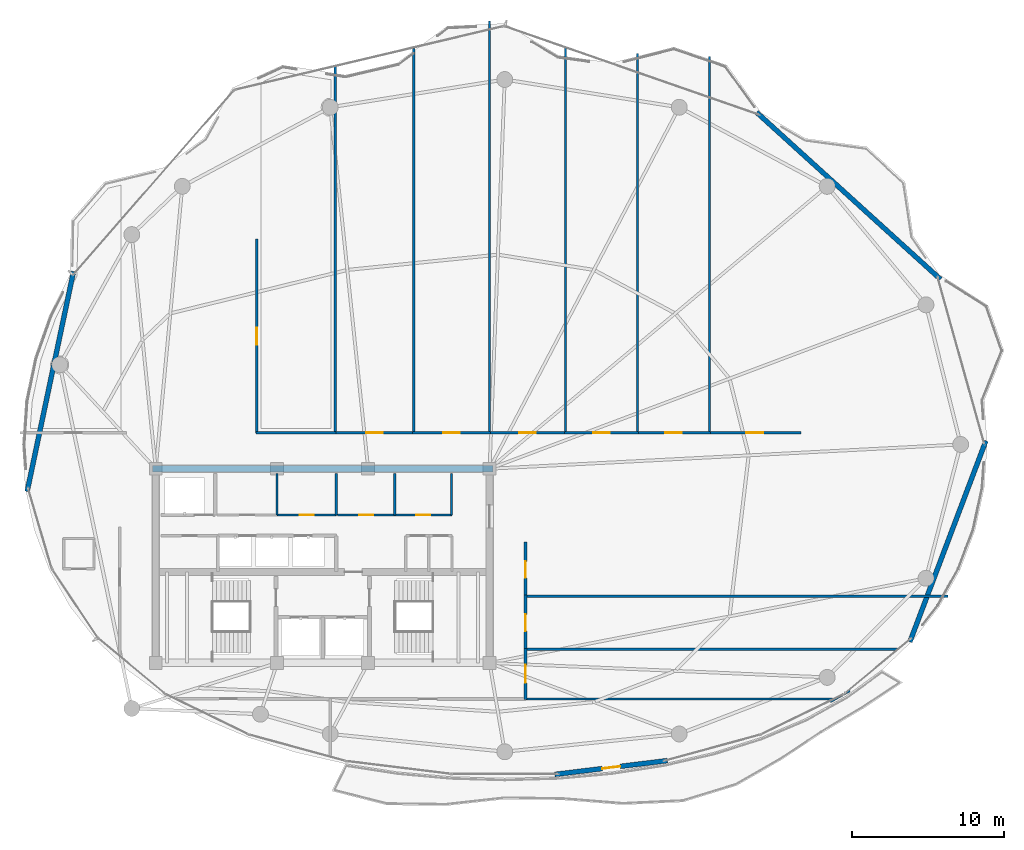
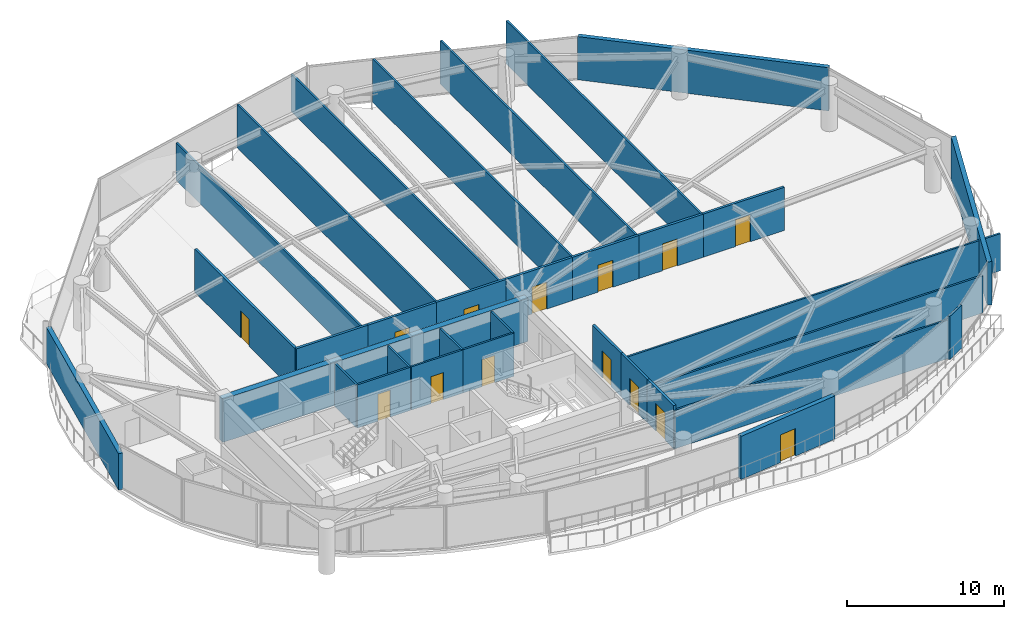
# One storey, part 24 of 28: 33 walls, 14 doors, 14 openings.
"""IFC4 building model written with IfcOpenShell, lengths in metres."""

from ifc_helpers import new_model, si_unit, direction, frame, frame_2d, origin, place, context, subcontext, project, spatial, rectangle, extrude, material, layer, layer_set, type_object, element, fill, save


model = new_model("IFC4")

# Units and contexts
model_context = context("Model", 3, precision=1e-05, world=origin(), true_north=direction((0.0, 1.0)))
body_context = subcontext(model_context, "Body", "Model", "MODEL_VIEW")
ifc_project = project(units=[si_unit("LENGTHUNIT", "METRE"), si_unit("AREAUNIT", "SQUARE_METRE"), si_unit("VOLUMEUNIT", "CUBIC_METRE"), si_unit("PLANEANGLEUNIT", "RADIAN"), si_unit("MASSUNIT", "GRAM", prefix="KILO")], contexts=[model_context])

# Site, building, storey
site_placement = place(None, origin())
site = spatial("IfcSite", under=ifc_project, at=site_placement, CompositionType="ELEMENT")
building_placement = place(site_placement, origin())
building = spatial("IfcBuilding", under=site, at=building_placement, Name="Kazevale Care Tower and Concert Hall", CompositionType="ELEMENT")
storey_placement = place(building_placement, frame((0.0, 0.0, 231.60009765625)))
storey = spatial("IfcBuildingStorey", under=building, at=storey_placement, Name="L61", CompositionType="ELEMENT", Elevation=231.60009765625)

# Wall, opening, door
ifc_material_1 = material(Name="Acoustic Gypsum on Steel Stud", Category="steel")
ifc_layer_1 = layer(ifc_material_1, 0.139892578125)
ifc_layer_set_1 = layer_set([ifc_layer_1], Name="Acoustic Gypsum on Steel Stud")
wall_type_1 = type_object("IfcWallType", Name="Acoustic Care & Suite Partition 140", PredefinedType="PARTITIONING", material=ifc_layer_set_1)
wall_1_placement = place(storey_placement, frame((30.0, 33.35009765625, 0.0), z_axis=(0.0, 0.0, 1.0), x_axis=(1.0, 0.0, 0.0)))
wall_1 = element("IfcWall", 1, at=wall_1_placement, inside=storey, type_object=wall_type_1, Name="wall:L61:c_rpl2_s", PredefinedType="PARTITIONING", context=body_context, shape_type="SweptSolid", body=[
    extrude(rectangle(XDim=3.919921875, YDim=0.139892578125, at=frame_2d((1.9599609375, 0.0))), origin(), (0.0, 0.0, 1.0), 3.35986328125),
])
opening_1_placement = place(wall_1_placement, frame((1.5, 0.0, 0.0)))
opening_1 = element("IfcOpeningElement", 2, at=opening_1_placement, cuts=wall_1, Name="Opening ID-900", PredefinedType="OPENING", context=body_context, shape_type="SweptSolid", body=[
    extrude(rectangle(XDim=0.919921875, YDim=2.10009765625, at=frame_2d((0.4599609375, 1.050048828125))), frame((0.0, 0.079833984375, 0.0), z_axis=(0.0, -1.0, 0.0), x_axis=(1.0, 0.0, 0.0)), (0.0, 0.0, 1.0), 0.159912109375),
])
ifc_material_2 = material(Name="Oak Timber Fire Leaf", Category="wood")
door_type_1 = type_object("IfcDoorType", Name="Bathroom & Service Door 920x2100", OperationType="NOTDEFINED", PredefinedType="DOOR", material=ifc_material_2)
door_1_placement = place(opening_1_placement, origin())
door_1 = element("IfcDoor", 3, at=door_1_placement, inside=storey, type_object=door_type_1, Name="door:L61:d_rpl2", OperationType="SINGLE_SWING_RIGHT", OverallHeight=2.10009765625, OverallWidth=0.919921875, PredefinedType="DOOR", context=body_context, shape_type="SweptSolid", body=[
    extrude(rectangle(XDim=0.919921875, YDim=2.10009765625, at=frame_2d((0.4599609375, 1.050048828125))), frame((0.0, 0.02490234375, 0.0), z_axis=(0.0, -1.0, 0.0), x_axis=(1.0, 0.0, 0.0)), (0.0, 0.0, 1.0), 0.050048828125),
])
fill(opening_1, door_1)

# Walls
for number, where, z_axis, x_axis, name in (
    (4, (30.0, 33.35009765625, 0.0), (0.0, 0.0, 1.0), (0.0, 1.0, 0.0), "wall:L61:c_rpl_m"),
    (5, (33.89990234375, 33.35009765625, 0.0), (0.0, 0.0, 1.0), (0.0, 1.0, 0.0), "wall:L61:c_rpl_e"),
):
    element("IfcWall", number, at=place(storey_placement, frame(where, z_axis=z_axis, x_axis=x_axis)), inside=storey, type_object=wall_type_1, Name=name, PredefinedType="PARTITIONING", context=body_context, shape_type="SweptSolid", body=[
        extrude(rectangle(XDim=2.75, YDim=0.139892578125, at=frame_2d((1.375, 0.0))), origin(), (0.0, 0.0, 1.0), 3.35986328125),
    ])

# Wall, opening, door
wall_2_placement = place(storey_placement, frame((33.97998046875, 33.35009765625, 0.0), z_axis=(0.0, 0.0, 1.0), x_axis=(1.0, 0.0, 0.0)))
wall_2 = element("IfcWall", 6, at=wall_2_placement, inside=storey, type_object=wall_type_1, Name="wall:L61:c_rpm1_s", PredefinedType="PARTITIONING", context=body_context, shape_type="SweptSolid", body=[
    extrude(rectangle(XDim=3.77001953125, YDim=0.139892578125, at=frame_2d((1.885009765625, 0.0))), origin(), (0.0, 0.0, 1.0), 3.35986328125),
])
opening_2_placement = place(wall_2_placement, frame((1.425048828125, 0.0, 0.0)))
opening_2 = element("IfcOpeningElement", 7, at=opening_2_placement, cuts=wall_2, Name="Opening ID-900", PredefinedType="OPENING", context=body_context, shape_type="SweptSolid", body=[
    extrude(rectangle(XDim=0.919921875, YDim=2.10009765625, at=frame_2d((0.4599609375, 1.050048828125))), frame((0.0, 0.079833984375, 0.0), z_axis=(0.0, -1.0, 0.0), x_axis=(1.0, 0.0, 0.0)), (0.0, 0.0, 1.0), 0.159912109375),
])
door_2_placement = place(opening_2_placement, origin())
door_2 = element("IfcDoor", 8, at=door_2_placement, inside=storey, type_object=door_type_1, Name="door:L61:d_rpm1", OperationType="SINGLE_SWING_LEFT", OverallHeight=2.10009765625, OverallWidth=0.919921875, PredefinedType="DOOR", context=body_context, shape_type="SweptSolid", body=[
    extrude(rectangle(XDim=0.919921875, YDim=2.10009765625, at=frame_2d((0.4599609375, 1.050048828125))), frame((0.0, 0.02490234375, 0.0), z_axis=(0.0, -1.0, 0.0), x_axis=(1.0, 0.0, 0.0)), (0.0, 0.0, 1.0), 0.050048828125),
])
fill(opening_2, door_2)

wall_3_placement = place(storey_placement, frame((37.75, 33.35009765625, 0.0), z_axis=(0.0, 0.0, 1.0), x_axis=(1.0, 0.0, 0.0)))
wall_3 = element("IfcWall", 9, at=wall_3_placement, inside=storey, type_object=wall_type_1, Name="wall:L61:c_rpm2_s", PredefinedType="PARTITIONING", context=body_context, shape_type="SweptSolid", body=[
    extrude(rectangle(XDim=3.77001953125, YDim=0.139892578125, at=frame_2d((1.885009765625, 0.0))), origin(), (0.0, 0.0, 1.0), 3.35986328125),
])
opening_3_placement = place(wall_3_placement, frame((1.425048828125, 0.0, 0.0)))
opening_3 = element("IfcOpeningElement", 10, at=opening_3_placement, cuts=wall_3, Name="Opening ID-900", PredefinedType="OPENING", context=body_context, shape_type="SweptSolid", body=[
    extrude(rectangle(XDim=0.919921875, YDim=2.10009765625, at=frame_2d((0.4599609375, 1.050048828125))), frame((0.0, 0.079833984375, 0.0), z_axis=(0.0, -1.0, 0.0), x_axis=(1.0, 0.0, 0.0)), (0.0, 0.0, 1.0), 0.159912109375),
])
door_3_placement = place(opening_3_placement, origin())
door_3 = element("IfcDoor", 11, at=door_3_placement, inside=storey, type_object=door_type_1, Name="door:L61:d_rpm2", OperationType="SINGLE_SWING_RIGHT", OverallHeight=2.10009765625, OverallWidth=0.919921875, PredefinedType="DOOR", context=body_context, shape_type="SweptSolid", body=[
    extrude(rectangle(XDim=0.919921875, YDim=2.10009765625, at=frame_2d((0.4599609375, 1.050048828125))), frame((0.0, 0.02490234375, 0.0), z_axis=(0.0, -1.0, 0.0), x_axis=(1.0, 0.0, 0.0)), (0.0, 0.0, 1.0), 0.050048828125),
])
fill(opening_3, door_3)

# Walls
for number, where, z_axis, x_axis, name in (
    (12, (37.75, 33.35009765625, 0.0), (0.0, 0.0, 1.0), (0.0, 1.0, 0.0), "wall:L61:c_rpm_m"),
    (13, (41.5, 33.35009765625, 0.0), (0.0, 0.0, 1.0), (0.0, 1.0, 0.0), "wall:L61:c_rpm_e"),
):
    element("IfcWall", number, at=place(storey_placement, frame(where, z_axis=z_axis, x_axis=x_axis)), inside=storey, type_object=wall_type_1, Name=name, PredefinedType="PARTITIONING", context=body_context, shape_type="SweptSolid", body=[
        extrude(rectangle(XDim=2.75, YDim=0.139892578125, at=frame_2d((1.375, 0.0))), origin(), (0.0, 0.0, 1.0), 3.35986328125),
    ])
wall_4_placement = place(storey_placement, frame((33.830078125, 62.923583984375, 0.0), z_axis=(0.0, 0.0, 1.0), x_axis=(0.0, -1.0, 0.0)))
element("IfcWall", 14, at=wall_4_placement, inside=storey, type_object=wall_type_1, Name="wall:L61:auto_016", PredefinedType="PARTITIONING", context=body_context, shape_type="SweptSolid", body=[
    extrude(rectangle(XDim=24.178466796875, YDim=0.139892578125, at=frame_2d((12.08935546875, 0.0))), origin(), (0.0, 0.0, 1.0), 2.889892578125),
])
wall_5_placement = place(storey_placement, frame((39.0, 64.10009765625, 0.0), z_axis=(0.0, 0.0, 1.0), x_axis=(0.0, -1.0, 0.0)))
element("IfcWall", 15, at=wall_5_placement, inside=storey, type_object=wall_type_1, Name="wall:L61:auto_017", PredefinedType="PARTITIONING", context=body_context, shape_type="SweptSolid", body=[
    extrude(rectangle(XDim=25.35498046875, YDim=0.139892578125, at=frame_2d((12.677490234375, 0.0))), origin(), (0.0, 0.0, 1.0), 3.35986328125),
])
wall_6_placement = place(storey_placement, frame((44.0, 65.904052734375, 0.0), z_axis=(0.0, 0.0, 1.0), x_axis=(0.0, -1.0, 0.0)))
element("IfcWall", 16, at=wall_6_placement, inside=storey, type_object=wall_type_1, Name="wall:L61:auto_018", PredefinedType="PARTITIONING", context=body_context, shape_type="SweptSolid", body=[
    extrude(rectangle(XDim=27.158935546875, YDim=0.139892578125, at=frame_2d((13.57958984375, 0.0))), origin(), (0.0, 0.0, 1.0), 2.889892578125),
])
wall_7_placement = place(storey_placement, frame((49.0, 64.150390625, 0.0), z_axis=(0.0, 0.0, 1.0), x_axis=(0.0, -1.0, 0.0)))
element("IfcWall", 17, at=wall_7_placement, inside=storey, type_object=wall_type_1, Name="wall:L61:auto_019", PredefinedType="PARTITIONING", context=body_context, shape_type="SweptSolid", body=[
    extrude(rectangle(XDim=25.4052734375, YDim=0.139892578125, at=frame_2d((12.70263671875, 0.0))), origin(), (0.0, 0.0, 1.0), 3.35986328125),
])
wall_8_placement = place(storey_placement, frame((53.75, 63.77490234375, 0.0), z_axis=(0.0, 0.0, 1.0), x_axis=(0.0, -1.0, 0.0)))
element("IfcWall", 18, at=wall_8_placement, inside=storey, type_object=wall_type_1, Name="wall:L61:auto_020", PredefinedType="PARTITIONING", context=body_context, shape_type="SweptSolid", body=[
    extrude(rectangle(XDim=25.02978515625, YDim=0.139892578125, at=frame_2d((12.514892578125, 0.0))), origin(), (0.0, 0.0, 1.0), 3.35986328125),
])
wall_9_placement = place(storey_placement, frame((58.5, 63.5810546875, 0.0), z_axis=(0.0, 0.0, 1.0), x_axis=(0.0, -1.0, 0.0)))
element("IfcWall", 19, at=wall_9_placement, inside=storey, type_object=wall_type_1, Name="wall:L61:auto_021", PredefinedType="PARTITIONING", context=body_context, shape_type="SweptSolid", body=[
    extrude(rectangle(XDim=24.8359375, YDim=0.139892578125, at=frame_2d((12.41796875, 0.0))), origin(), (0.0, 0.0, 1.0), 3.35986328125),
])
wall_10_placement = place(storey_placement, frame((46.344970703125, 24.5, 0.0), z_axis=(0.0, 0.0, 1.0), x_axis=(1.0, 0.0, 0.0)))
element("IfcWall", 20, at=wall_10_placement, inside=storey, type_object=wall_type_1, Name="wall:L61:auto_022", PredefinedType="PARTITIONING", context=body_context, shape_type="SweptSolid", body=[
    extrude(rectangle(XDim=24.560546875, YDim=0.139892578125, at=frame_2d((12.2802734375, 0.0))), origin(), (0.0, 0.0, 1.0), 2.889892578125),
])
wall_11_placement = place(storey_placement, frame((66.683837890625, 21.22509765625, 0.0), z_axis=(0.0, 0.0, 1.0), x_axis=(-1.0, 0.0, 0.0)))
element("IfcWall", 21, at=wall_11_placement, inside=storey, type_object=wall_type_1, Name="wall:L61:auto_023", PredefinedType="PARTITIONING", context=body_context, shape_type="SweptSolid", body=[
    extrude(rectangle(XDim=20.3388671875, YDim=0.139892578125, at=frame_2d((10.16943359375, 0.0))), origin(), (0.0, 0.0, 1.0), 2.995849609375),
])
wall_12_placement = place(storey_placement, frame((67.748046875, 21.77001953125, 0.0), z_axis=(0.0, 0.0, 1.0), x_axis=(-0.871352238731, -0.490658003153, 0.0)))
element("IfcWall", 22, at=wall_12_placement, inside=storey, type_object=wall_type_1, Name="wall:L61:auto_024", PredefinedType="PARTITIONING", context=body_context, shape_type="SweptSolid", body=[
    extrude(rectangle(XDim=1.48974609375, YDim=0.139892578125, at=frame_2d((0.744873046875, 0.0))), origin(), (0.0, 0.0, 1.0), 3.35986328125),
])
wall_13_placement = place(storey_placement, frame((46.344970703125, 28.0, 0.0), z_axis=(0.0, 0.0, 1.0), x_axis=(1.0, 0.0, 0.0)))
element("IfcWall", 23, at=wall_13_placement, inside=storey, type_object=wall_type_1, Name="wall:L61:auto_025", PredefinedType="PARTITIONING", context=body_context, shape_type="SweptSolid", body=[
    extrude(rectangle(XDim=27.863037109375, YDim=0.139892578125, at=frame_2d((13.931640625, 0.0))), origin(), (0.0, 0.0, 1.0), 2.889892578125),
])
ifc_material_3 = material(Name="Concrete C50", Category="concrete")
ifc_layer_2 = layer(ifc_material_3, 0.449951171875)
ifc_layer_set_2 = layer_set([ifc_layer_2], Name="Concrete C50")
wall_type_2 = type_object("IfcWallType", Name="Core Shear Wall 450 C50", PredefinedType="SHEAR", material=ifc_layer_set_2)
wall_14_placement = place(storey_placement, frame((21.77490234375, 36.39990234375, 0.0), z_axis=(0.0, 0.0, 1.0), x_axis=(1.0, 0.0, 0.0)))
element("IfcWall", 24, at=wall_14_placement, inside=storey, type_object=wall_type_2, Name="wall:L61:core:N", PredefinedType="SHEAR", context=body_context, shape_type="SweptSolid", body=[
    extrude(rectangle(XDim=22.4501953125, YDim=0.449951171875, at=frame_2d((11.22509765625, 0.0))), origin(), (0.0, 0.0, 1.0), 3.35986328125),
])

# Wall, opening, door
ifc_material_4 = material(Name="Concrete C40 and Acoustic Gypsum", Category="concrete")
ifc_layer_3 = layer(ifc_material_4, 0.179931640625)
ifc_layer_set_3 = layer_set([ifc_layer_3], Name="Concrete C40 and Acoustic Gypsum")
wall_type_3 = type_object("IfcWallType", Name="Fire-Rated Corridor & Party Wall 180", PredefinedType="PARTITIONING", material=ifc_layer_set_3)
wall_15_placement = place(storey_placement, frame((28.64990234375, 51.530029296875, 0.0), z_axis=(0.0, 0.0, 1.0), x_axis=(0.0, -1.0, 0.0)))
wall_15 = element("IfcWall", 25, at=wall_15_placement, inside=storey, type_object=wall_type_3, Name="wall:L61:auto_002", PredefinedType="PARTITIONING", context=body_context, shape_type="SweptSolid", body=[
    extrude(rectangle(XDim=12.784912109375, YDim=0.179931640625, at=frame_2d((6.392578125, 0.0))), origin(), (0.0, 0.0, 1.0), 3.35986328125),
])
opening_4_placement = place(wall_15_placement, frame((5.843017578125, 0.0, 0.0)))
opening_4 = element("IfcOpeningElement", 26, at=opening_4_placement, cuts=wall_15, Name="Opening ID-1100", PredefinedType="OPENING", context=body_context, shape_type="SweptSolid", body=[
    extrude(rectangle(XDim=1.10009765625, YDim=2.10009765625, at=frame_2d((0.550048828125, 1.050048828125))), frame((0.0, 0.099853515625, 0.0), z_axis=(0.0, -1.0, 0.0), x_axis=(1.0, 0.0, 0.0)), (0.0, 0.0, 1.0), 0.199951171875),
])
door_type_2 = type_object("IfcDoorType", Name="Care Bedroom Accessible Door 1100x2100", OperationType="NOTDEFINED", PredefinedType="DOOR", material=ifc_material_2)
door_4_placement = place(opening_4_placement, origin())
door_4 = element("IfcDoor", 27, at=door_4_placement, inside=storey, type_object=door_type_2, Name="door:L61:ad_002", OperationType="SINGLE_SWING_LEFT", OverallHeight=2.10009765625, OverallWidth=1.10009765625, PredefinedType="DOOR", context=body_context, shape_type="SweptSolid", body=[
    extrude(rectangle(XDim=1.10009765625, YDim=2.10009765625, at=frame_2d((0.550048828125, 1.050048828125))), frame((0.0, 0.02490234375, 0.0), z_axis=(0.0, -1.0, 0.0), x_axis=(1.0, 0.0, 0.0)), (0.0, 0.0, 1.0), 0.050048828125),
])
fill(opening_4, door_4)

# Wall
wall_16_placement = place(storey_placement, frame((28.6201171875, 38.77490234375, 0.0), z_axis=(0.0, 0.0, 1.0), x_axis=(1.0, 0.0, 0.0)))
element("IfcWall", 28, at=wall_16_placement, inside=storey, type_object=wall_type_3, Name="wall:L61:auto_003", PredefinedType="PARTITIONING", context=body_context, shape_type="SweptSolid", body=[
    extrude(rectangle(XDim=5.27490234375, YDim=0.179931640625, at=frame_2d((2.637451171875, 0.0))), origin(), (0.0, 0.0, 1.0), 3.35986328125),
])

# Wall, opening, door
wall_17_placement = place(storey_placement, frame((33.764892578125, 38.77490234375, 0.0), z_axis=(0.0, 0.0, 1.0), x_axis=(1.0, 0.0, 0.0)))
wall_17 = element("IfcWall", 29, at=wall_17_placement, inside=storey, type_object=wall_type_3, Name="wall:L61:auto_004", PredefinedType="PARTITIONING", context=body_context, shape_type="SweptSolid", body=[
    extrude(rectangle(XDim=5.300048828125, YDim=0.179931640625, at=frame_2d((2.64990234375, 0.0))), origin(), (0.0, 0.0, 1.0), 3.35986328125),
])
opening_5_placement = place(wall_17_placement, frame((2.10009765625, 0.0, 0.0)))
opening_5 = element("IfcOpeningElement", 30, at=opening_5_placement, cuts=wall_17, Name="Opening ID-1100", PredefinedType="OPENING", context=body_context, shape_type="SweptSolid", body=[
    extrude(rectangle(XDim=1.10009765625, YDim=2.10009765625, at=frame_2d((0.550048828125, 1.050048828125))), frame((0.0, 0.099853515625, 0.0), z_axis=(0.0, -1.0, 0.0), x_axis=(1.0, 0.0, 0.0)), (0.0, 0.0, 1.0), 0.199951171875),
])
door_5_placement = place(opening_5_placement, origin())
door_5 = element("IfcDoor", 31, at=door_5_placement, inside=storey, type_object=door_type_2, Name="door:L61:ad_004", OperationType="SINGLE_SWING_LEFT", OverallHeight=2.10009765625, OverallWidth=1.10009765625, PredefinedType="DOOR", context=body_context, shape_type="SweptSolid", body=[
    extrude(rectangle(XDim=1.10009765625, YDim=2.10009765625, at=frame_2d((0.550048828125, 1.050048828125))), frame((0.0, 0.02490234375, 0.0), z_axis=(0.0, -1.0, 0.0), x_axis=(1.0, 0.0, 0.0)), (0.0, 0.0, 1.0), 0.050048828125),
])
fill(opening_5, door_5)

wall_18_placement = place(storey_placement, frame((38.93505859375, 38.77490234375, 0.0), z_axis=(0.0, 0.0, 1.0), x_axis=(1.0, 0.0, 0.0)))
wall_18 = element("IfcWall", 32, at=wall_18_placement, inside=storey, type_object=wall_type_3, Name="wall:L61:auto_005", PredefinedType="PARTITIONING", context=body_context, shape_type="SweptSolid", body=[
    extrude(rectangle(XDim=5.1298828125, YDim=0.179931640625, at=frame_2d((2.56494140625, 0.0))), origin(), (0.0, 0.0, 1.0), 3.35986328125),
])
opening_6_placement = place(wall_18_placement, frame((2.014892578125, 0.0, 0.0)))
opening_6 = element("IfcOpeningElement", 33, at=opening_6_placement, cuts=wall_18, Name="Opening ID-1100", PredefinedType="OPENING", context=body_context, shape_type="SweptSolid", body=[
    extrude(rectangle(XDim=1.10009765625, YDim=2.10009765625, at=frame_2d((0.550048828125, 1.050048828125))), frame((0.0, 0.099853515625, 0.0), z_axis=(0.0, -1.0, 0.0), x_axis=(1.0, 0.0, 0.0)), (0.0, 0.0, 1.0), 0.199951171875),
])
door_6_placement = place(opening_6_placement, origin())
door_6 = element("IfcDoor", 34, at=door_6_placement, inside=storey, type_object=door_type_2, Name="door:L61:ad_005", OperationType="SINGLE_SWING_LEFT", OverallHeight=2.10009765625, OverallWidth=1.10009765625, PredefinedType="DOOR", context=body_context, shape_type="SweptSolid", body=[
    extrude(rectangle(XDim=1.10009765625, YDim=2.10009765625, at=frame_2d((0.550048828125, 1.050048828125))), frame((0.0, 0.02490234375, 0.0), z_axis=(0.0, -1.0, 0.0), x_axis=(1.0, 0.0, 0.0)), (0.0, 0.0, 1.0), 0.050048828125),
])
fill(opening_6, door_6)

wall_19_placement = place(storey_placement, frame((43.93505859375, 38.77490234375, 0.0), z_axis=(0.0, 0.0, 1.0), x_axis=(1.0, 0.0, 0.0)))
wall_19 = element("IfcWall", 35, at=wall_19_placement, inside=storey, type_object=wall_type_3, Name="wall:L61:auto_006", PredefinedType="PARTITIONING", context=body_context, shape_type="SweptSolid", body=[
    extrude(rectangle(XDim=5.1298828125, YDim=0.179931640625, at=frame_2d((2.56494140625, 0.0))), origin(), (0.0, 0.0, 1.0), 3.35986328125),
])
opening_7_placement = place(wall_19_placement, frame((2.014892578125, 0.0, 0.0)))
opening_7 = element("IfcOpeningElement", 36, at=opening_7_placement, cuts=wall_19, Name="Opening ID-1100", PredefinedType="OPENING", context=body_context, shape_type="SweptSolid", body=[
    extrude(rectangle(XDim=1.10009765625, YDim=2.10009765625, at=frame_2d((0.550048828125, 1.050048828125))), frame((0.0, 0.099853515625, 0.0), z_axis=(0.0, -1.0, 0.0), x_axis=(1.0, 0.0, 0.0)), (0.0, 0.0, 1.0), 0.199951171875),
])
door_7_placement = place(opening_7_placement, origin())
door_7 = element("IfcDoor", 37, at=door_7_placement, inside=storey, type_object=door_type_2, Name="door:L61:ad_006", OperationType="SINGLE_SWING_LEFT", OverallHeight=2.10009765625, OverallWidth=1.10009765625, PredefinedType="DOOR", context=body_context, shape_type="SweptSolid", body=[
    extrude(rectangle(XDim=1.10009765625, YDim=2.10009765625, at=frame_2d((0.550048828125, 1.050048828125))), frame((0.0, 0.02490234375, 0.0), z_axis=(0.0, -1.0, 0.0), x_axis=(1.0, 0.0, 0.0)), (0.0, 0.0, 1.0), 0.050048828125),
])
fill(opening_7, door_7)

wall_20_placement = place(storey_placement, frame((48.93505859375, 38.77490234375, 0.0), z_axis=(0.0, 0.0, 1.0), x_axis=(1.0, 0.0, 0.0)))
wall_20 = element("IfcWall", 38, at=wall_20_placement, inside=storey, type_object=wall_type_3, Name="wall:L61:auto_007", PredefinedType="PARTITIONING", context=body_context, shape_type="SweptSolid", body=[
    extrude(rectangle(XDim=4.8798828125, YDim=0.179931640625, at=frame_2d((2.43994140625, 0.0))), origin(), (0.0, 0.0, 1.0), 3.35986328125),
])
opening_8_placement = place(wall_20_placement, frame((1.889892578125, 0.0, 0.0)))
opening_8 = element("IfcOpeningElement", 39, at=opening_8_placement, cuts=wall_20, Name="Opening ID-1100", PredefinedType="OPENING", context=body_context, shape_type="SweptSolid", body=[
    extrude(rectangle(XDim=1.10009765625, YDim=2.10009765625, at=frame_2d((0.550048828125, 1.050048828125))), frame((0.0, 0.099853515625, 0.0), z_axis=(0.0, -1.0, 0.0), x_axis=(1.0, 0.0, 0.0)), (0.0, 0.0, 1.0), 0.199951171875),
])
door_8_placement = place(opening_8_placement, origin())
door_8 = element("IfcDoor", 40, at=door_8_placement, inside=storey, type_object=door_type_2, Name="door:L61:ad_007", OperationType="SINGLE_SWING_LEFT", OverallHeight=2.10009765625, OverallWidth=1.10009765625, PredefinedType="DOOR", context=body_context, shape_type="SweptSolid", body=[
    extrude(rectangle(XDim=1.10009765625, YDim=2.10009765625, at=frame_2d((0.550048828125, 1.050048828125))), frame((0.0, 0.02490234375, 0.0), z_axis=(0.0, -1.0, 0.0), x_axis=(1.0, 0.0, 0.0)), (0.0, 0.0, 1.0), 0.050048828125),
])
fill(opening_8, door_8)

wall_21_placement = place(storey_placement, frame((53.68505859375, 38.77490234375, 0.0), z_axis=(0.0, 0.0, 1.0), x_axis=(1.0, 0.0, 0.0)))
wall_21 = element("IfcWall", 41, at=wall_21_placement, inside=storey, type_object=wall_type_3, Name="wall:L61:auto_008", PredefinedType="PARTITIONING", context=body_context, shape_type="SweptSolid", body=[
    extrude(rectangle(XDim=4.8798828125, YDim=0.179931640625, at=frame_2d((2.43994140625, 0.0))), origin(), (0.0, 0.0, 1.0), 3.35986328125),
])
opening_9_placement = place(wall_21_placement, frame((1.889892578125, 0.0, 0.0)))
opening_9 = element("IfcOpeningElement", 42, at=opening_9_placement, cuts=wall_21, Name="Opening ID-1100", PredefinedType="OPENING", context=body_context, shape_type="SweptSolid", body=[
    extrude(rectangle(XDim=1.10009765625, YDim=2.10009765625, at=frame_2d((0.550048828125, 1.050048828125))), frame((0.0, 0.099853515625, 0.0), z_axis=(0.0, -1.0, 0.0), x_axis=(1.0, 0.0, 0.0)), (0.0, 0.0, 1.0), 0.199951171875),
])
door_9_placement = place(opening_9_placement, origin())
door_9 = element("IfcDoor", 43, at=door_9_placement, inside=storey, type_object=door_type_2, Name="door:L61:ad_008", OperationType="SINGLE_SWING_LEFT", OverallHeight=2.10009765625, OverallWidth=1.10009765625, PredefinedType="DOOR", context=body_context, shape_type="SweptSolid", body=[
    extrude(rectangle(XDim=1.10009765625, YDim=2.10009765625, at=frame_2d((0.550048828125, 1.050048828125))), frame((0.0, 0.02490234375, 0.0), z_axis=(0.0, -1.0, 0.0), x_axis=(1.0, 0.0, 0.0)), (0.0, 0.0, 1.0), 0.050048828125),
])
fill(opening_9, door_9)

wall_22_placement = place(storey_placement, frame((58.43505859375, 38.77490234375, 0.0), z_axis=(0.0, 0.0, 1.0), x_axis=(1.0, 0.0, 0.0)))
wall_22 = element("IfcWall", 44, at=wall_22_placement, inside=storey, type_object=wall_type_3, Name="wall:L61:auto_009", PredefinedType="PARTITIONING", context=body_context, shape_type="SweptSolid", body=[
    extrude(rectangle(XDim=6.094970703125, YDim=0.179931640625, at=frame_2d((3.04736328125, 0.0))), origin(), (0.0, 0.0, 1.0), 3.35986328125),
])
opening_10_placement = place(wall_22_placement, frame((2.4970703125, 0.0, 0.0)))
opening_10 = element("IfcOpeningElement", 45, at=opening_10_placement, cuts=wall_22, Name="Opening ID-1100", PredefinedType="OPENING", context=body_context, shape_type="SweptSolid", body=[
    extrude(rectangle(XDim=1.10009765625, YDim=2.10009765625, at=frame_2d((0.550048828125, 1.050048828125))), frame((0.0, 0.099853515625, 0.0), z_axis=(0.0, -1.0, 0.0), x_axis=(1.0, 0.0, 0.0)), (0.0, 0.0, 1.0), 0.199951171875),
])
door_10_placement = place(opening_10_placement, origin())
door_10 = element("IfcDoor", 46, at=door_10_placement, inside=storey, type_object=door_type_2, Name="door:L61:ad_009", OperationType="SINGLE_SWING_LEFT", OverallHeight=2.10009765625, OverallWidth=1.10009765625, PredefinedType="DOOR", context=body_context, shape_type="SweptSolid", body=[
    extrude(rectangle(XDim=1.10009765625, YDim=2.10009765625, at=frame_2d((0.550048828125, 1.050048828125))), frame((0.0, 0.02490234375, 0.0), z_axis=(0.0, -1.0, 0.0), x_axis=(1.0, 0.0, 0.0)), (0.0, 0.0, 1.0), 0.050048828125),
])
fill(opening_10, door_10)

wall_23_placement = place(storey_placement, frame((46.375, 24.56494140625, 0.0), z_axis=(0.0, 0.0, 1.0), x_axis=(0.0, -1.0, 0.0)))
wall_23 = element("IfcWall", 47, at=wall_23_placement, inside=storey, type_object=wall_type_3, Name="wall:L61:auto_010", PredefinedType="PARTITIONING", context=body_context, shape_type="SweptSolid", body=[
    extrude(rectangle(XDim=3.369873046875, YDim=0.179931640625, at=frame_2d((1.68505859375, 0.0))), origin(), (0.0, 0.0, 1.0), 3.35986328125),
])
opening_11_placement = place(wall_23_placement, frame((1.0849609375, 0.0, 0.0)))
opening_11 = element("IfcOpeningElement", 48, at=opening_11_placement, cuts=wall_23, Name="Opening ID-1200", PredefinedType="OPENING", context=body_context, shape_type="SweptSolid", body=[
    extrude(rectangle(XDim=1.199951171875, YDim=2.14990234375, at=frame_2d((0.60009765625, 1.074951171875))), frame((0.0, 0.099853515625, 0.0), z_axis=(0.0, -1.0, 0.0), x_axis=(1.0, 0.0, 0.0)), (0.0, 0.0, 1.0), 0.199951171875),
])
door_type_3 = type_object("IfcDoorType", Name="Clinical & Therapy Door 1200x2150", OperationType="NOTDEFINED", PredefinedType="DOOR", material=ifc_material_2)
door_11_placement = place(opening_11_placement, origin())
door_11 = element("IfcDoor", 49, at=door_11_placement, inside=storey, type_object=door_type_3, Name="door:L61:ad_010", OperationType="SINGLE_SWING_LEFT", OverallHeight=2.14990234375, OverallWidth=1.199951171875, PredefinedType="DOOR", context=body_context, shape_type="SweptSolid", body=[
    extrude(rectangle(XDim=1.199951171875, YDim=2.14990234375, at=frame_2d((0.60009765625, 1.074951171875))), frame((0.0, 0.02490234375, 0.0), z_axis=(0.0, -1.0, 0.0), x_axis=(1.0, 0.0, 0.0)), (0.0, 0.0, 1.0), 0.050048828125),
])
fill(opening_11, door_11)

wall_24_placement = place(storey_placement, frame((46.375, 28.06494140625, 0.0), z_axis=(0.0, 0.0, 1.0), x_axis=(0.0, -1.0, 0.0)))
wall_24 = element("IfcWall", 50, at=wall_24_placement, inside=storey, type_object=wall_type_3, Name="wall:L61:auto_011", PredefinedType="PARTITIONING", context=body_context, shape_type="SweptSolid", body=[
    extrude(rectangle(XDim=3.6298828125, YDim=0.179931640625, at=frame_2d((1.81494140625, 0.0))), origin(), (0.0, 0.0, 1.0), 3.35986328125),
])
opening_12_placement = place(wall_24_placement, frame((1.264892578125, 0.0, 0.0)))
opening_12 = element("IfcOpeningElement", 51, at=opening_12_placement, cuts=wall_24, Name="Opening ID-1100", PredefinedType="OPENING", context=body_context, shape_type="SweptSolid", body=[
    extrude(rectangle(XDim=1.10009765625, YDim=2.10009765625, at=frame_2d((0.550048828125, 1.050048828125))), frame((0.0, 0.099853515625, 0.0), z_axis=(0.0, -1.0, 0.0), x_axis=(1.0, 0.0, 0.0)), (0.0, 0.0, 1.0), 0.199951171875),
])
door_12_placement = place(opening_12_placement, origin())
door_12 = element("IfcDoor", 52, at=door_12_placement, inside=storey, type_object=door_type_2, Name="door:L61:ad_011", OperationType="SINGLE_SWING_LEFT", OverallHeight=2.10009765625, OverallWidth=1.10009765625, PredefinedType="DOOR", context=body_context, shape_type="SweptSolid", body=[
    extrude(rectangle(XDim=1.10009765625, YDim=2.10009765625, at=frame_2d((0.550048828125, 1.050048828125))), frame((0.0, 0.02490234375, 0.0), z_axis=(0.0, -1.0, 0.0), x_axis=(1.0, 0.0, 0.0)), (0.0, 0.0, 1.0), 0.050048828125),
])
fill(opening_12, door_12)

wall_25_placement = place(storey_placement, frame((46.375, 31.56494140625, 0.0), z_axis=(0.0, 0.0, 1.0), x_axis=(0.0, -1.0, 0.0)))
wall_25 = element("IfcWall", 53, at=wall_25_placement, inside=storey, type_object=wall_type_3, Name="wall:L61:auto_012", PredefinedType="PARTITIONING", context=body_context, shape_type="SweptSolid", body=[
    extrude(rectangle(XDim=3.6298828125, YDim=0.179931640625, at=frame_2d((1.81494140625, 0.0))), origin(), (0.0, 0.0, 1.0), 3.35986328125),
])
opening_13_placement = place(wall_25_placement, frame((1.264892578125, 0.0, 0.0)))
opening_13 = element("IfcOpeningElement", 54, at=opening_13_placement, cuts=wall_25, Name="Opening ID-1100", PredefinedType="OPENING", context=body_context, shape_type="SweptSolid", body=[
    extrude(rectangle(XDim=1.10009765625, YDim=2.10009765625, at=frame_2d((0.550048828125, 1.050048828125))), frame((0.0, 0.099853515625, 0.0), z_axis=(0.0, -1.0, 0.0), x_axis=(1.0, 0.0, 0.0)), (0.0, 0.0, 1.0), 0.199951171875),
])
door_13_placement = place(opening_13_placement, origin())
door_13 = element("IfcDoor", 55, at=door_13_placement, inside=storey, type_object=door_type_2, Name="door:L61:ad_012", OperationType="SINGLE_SWING_LEFT", OverallHeight=2.10009765625, OverallWidth=1.10009765625, PredefinedType="DOOR", context=body_context, shape_type="SweptSolid", body=[
    extrude(rectangle(XDim=1.10009765625, YDim=2.10009765625, at=frame_2d((0.550048828125, 1.050048828125))), frame((0.0, 0.02490234375, 0.0), z_axis=(0.0, -1.0, 0.0), x_axis=(1.0, 0.0, 0.0)), (0.0, 0.0, 1.0), 0.050048828125),
])
fill(opening_13, door_13)

# Wall
ifc_material_5 = material(Name="Concrete C40 with Honed Limestone Cladding", Category="masonry")
ifc_layer_4 = layer(ifc_material_5, 0.320068359375)
ifc_layer_set_4 = layer_set([ifc_layer_4], Name="Concrete C40 with Honed Limestone Cladding")
wall_type_4 = type_object("IfcWallType", Name="Tower Honed Limestone Spandrel Wall 320", PredefinedType="STANDARD", material=ifc_layer_set_4)
wall_26_placement = place(storey_placement, frame((76.7119140625, 38.242919921875, 0.0), z_axis=(0.0, 0.0, 1.0), x_axis=(-0.353659523244, -0.935374225441, 0.0)))
element("IfcWall", 56, at=wall_26_placement, inside=storey, type_object=wall_type_4, Name="wall:cw:L61:f01", PredefinedType="STANDARD", context=body_context, shape_type="SweptSolid", body=[
    extrude(rectangle(XDim=14.171630859375, YDim=0.320068359375, at=frame_2d((7.0859375, 0.0))), origin(), (0.0, 0.0, 1.0), 3.35986328125),
])

# Wall, opening, door
wall_27_placement = place(storey_placement, frame((55.72705078125, 17.1650390625, 0.0), z_axis=(0.0, 0.0, 1.0), x_axis=(-0.992559081031, -0.121763995755, 0.0)))
wall_27 = element("IfcWall", 57, at=wall_27_placement, inside=storey, type_object=wall_type_4, Name="wall:L61:bal_host", PredefinedType="STANDARD", context=body_context, shape_type="SweptSolid", body=[
    extrude(rectangle(XDim=7.49072265625, YDim=0.320068359375, at=frame_2d((3.745361328125, 0.0))), origin(), (0.0, 0.0, 1.0), 3.35986328125),
])
opening_14_placement = place(wall_27_placement, frame((3.14501953125, 0.0, 0.0)))
opening_14 = element("IfcOpeningElement", 58, at=opening_14_placement, cuts=wall_27, Name="Opening BD-1200", PredefinedType="OPENING", context=body_context, shape_type="SweptSolid", body=[
    extrude(rectangle(XDim=1.199951171875, YDim=2.14990234375, at=frame_2d((0.60009765625, 1.074951171875))), frame((0.0, 0.169921875, 0.0), z_axis=(0.0, -1.0, 0.0), x_axis=(1.0, 0.0, 0.0)), (0.0, 0.0, 1.0), 0.340087890625),
])
ifc_material_6 = material(Name="Aluminium 6063-T6 and Low-E Glass", Category="aluminium")
door_type_4 = type_object("IfcDoorType", Name="Sheltered Balcony Glazed Door 1200x2150", OperationType="NOTDEFINED", PredefinedType="DOOR", material=ifc_material_6)
door_14_placement = place(opening_14_placement, origin())
door_14 = element("IfcDoor", 59, at=door_14_placement, inside=storey, type_object=door_type_4, Name="door:L61:BD-1", OperationType="SINGLE_SWING_LEFT", OverallHeight=2.14990234375, OverallWidth=1.199951171875, PredefinedType="DOOR", context=body_context, shape_type="SweptSolid", body=[
    extrude(rectangle(XDim=1.199951171875, YDim=2.14990234375, at=frame_2d((0.60009765625, 1.074951171875))), frame((0.0, 0.02490234375, 0.0), z_axis=(0.0, -1.0, 0.0), x_axis=(1.0, 0.0, 0.0)), (0.0, 0.0, 1.0), 0.050048828125),
])
fill(opening_14, door_14)

# Walls
wall_28_placement = place(storey_placement, frame((13.52490234375, 34.903076171875, 0.0), z_axis=(0.0, 0.0, 1.0), x_axis=(0.206301080321, 0.978488561128, 0.0)))
element("IfcWall", 60, at=wall_28_placement, inside=storey, type_object=wall_type_4, Name="wall:cw:L61:f13", PredefinedType="STANDARD", context=body_context, shape_type="SweptSolid", body=[
    extrude(rectangle(XDim=14.81884765625, YDim=0.320068359375, at=frame_2d((7.409423828125, 0.0))), origin(), (0.0, 0.0, 1.0), 2.81689453125),
])
wall_29_placement = place(storey_placement, frame((61.60205078125, 59.884033203125, 0.0), z_axis=(0.0, 0.0, 1.0), x_axis=(0.740416582554, -0.672148260638, 0.0)))
element("IfcWall", 61, at=wall_29_placement, inside=storey, type_object=wall_type_4, Name="wall:cw:L61:f17", PredefinedType="STANDARD", context=body_context, shape_type="SweptSolid", body=[
    extrude(rectangle(XDim=16.361083984375, YDim=0.320068359375, at=frame_2d((8.1806640625, 0.0))), origin(), (0.0, 0.0, 1.0), 3.35986328125),
])

save(model, "model.ifc")
